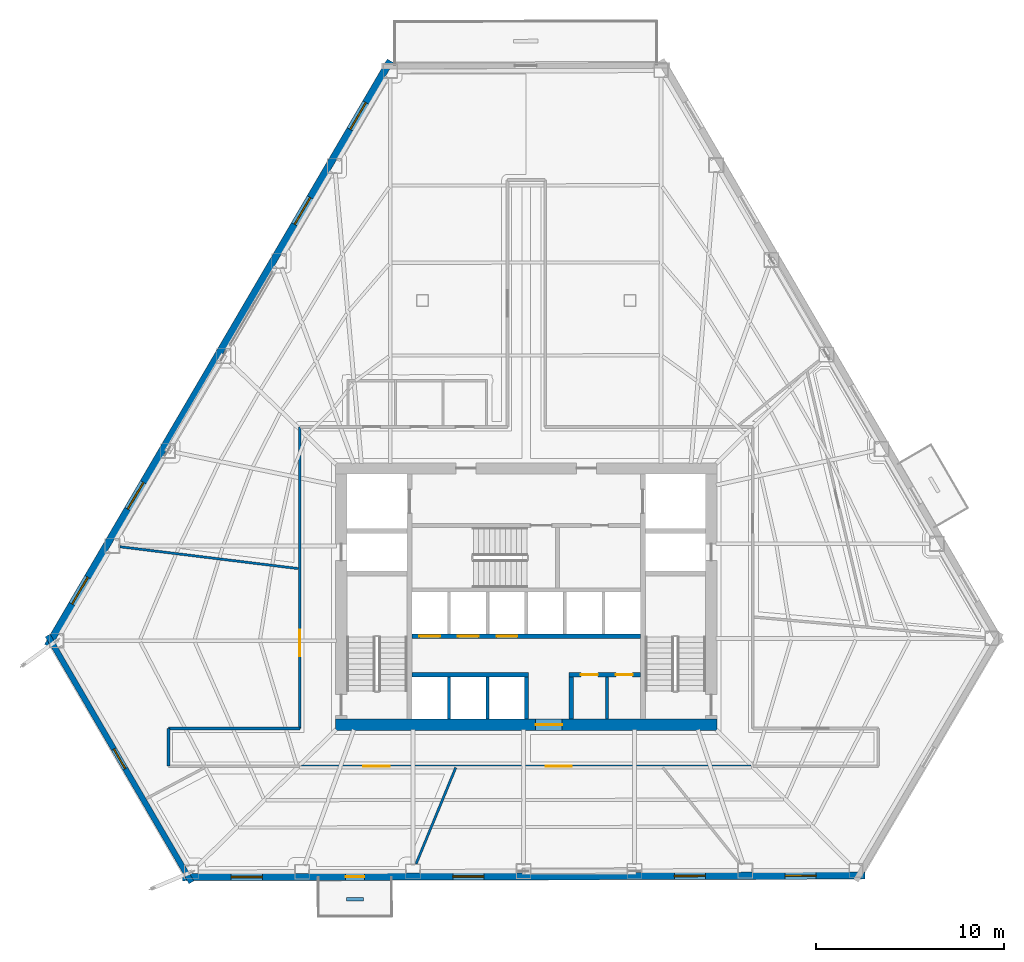
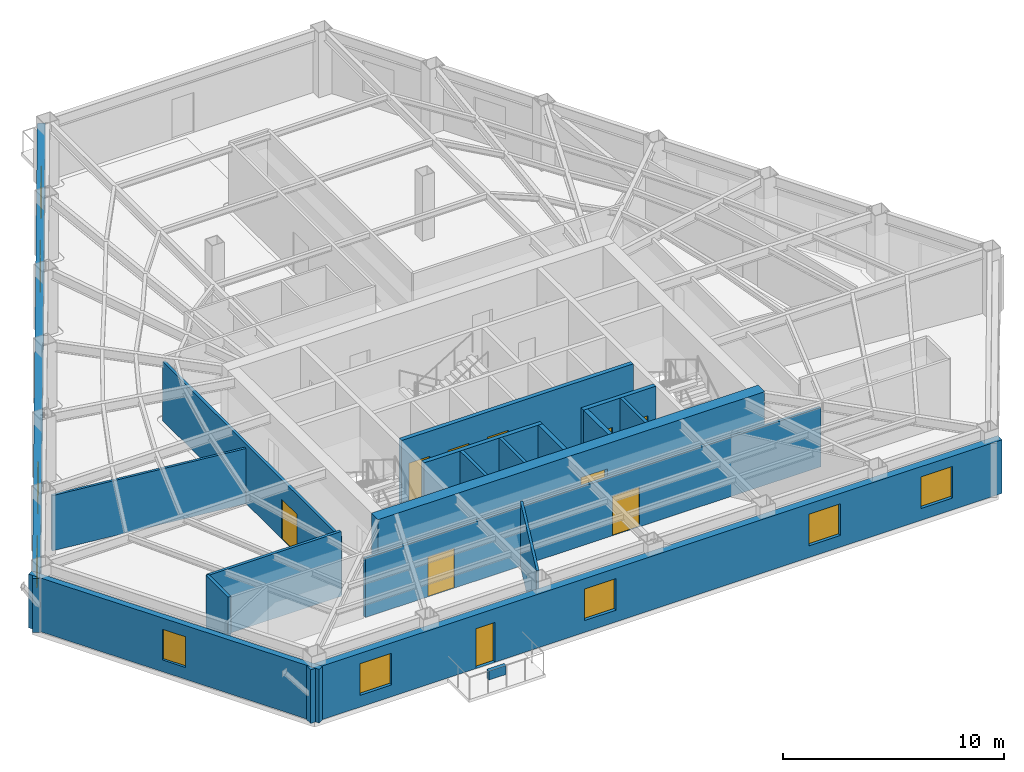
# One storey, part 9 of 15: 19 walls, 10 doors, 9 windows, 19 openings.
"""IFC4 building model written with IfcOpenShell, lengths in metres."""

from ifc_helpers import new_model, si_unit, direction, frame, frame_2d, origin, place, context, subcontext, project, spatial, rectangle, extrude, material, layer, layer_set, type_object, element, fill, save


model = new_model("IFC4")

# Units and contexts
model_context = context("Model", 3, precision=1e-05, world=origin(), true_north=direction((0.0, 1.0)))
body_context = subcontext(model_context, "Body", "Model", "MODEL_VIEW")
ifc_project = project(units=[si_unit("LENGTHUNIT", "METRE"), si_unit("AREAUNIT", "SQUARE_METRE"), si_unit("VOLUMEUNIT", "CUBIC_METRE"), si_unit("PLANEANGLEUNIT", "RADIAN"), si_unit("MASSUNIT", "GRAM", prefix="KILO")], contexts=[model_context])

# Site, building, storey
site_placement = place(None, origin())
site = spatial("IfcSite", under=ifc_project, at=site_placement, CompositionType="ELEMENT")
building_placement = place(site_placement, origin())
building = spatial("IfcBuilding", under=site, at=building_placement, Name="Kavelnor Concourse Tower", CompositionType="ELEMENT")
storey_placement = place(building_placement, frame((0.0, 0.0, 63.75)))
storey = spatial("IfcBuildingStorey", under=building, at=storey_placement, Name="L16", CompositionType="ELEMENT", Elevation=63.75)

# Wall, opening, door
ifc_material_1 = material(Name="Concrete C60/75", Category="concrete")
ifc_layer_1 = layer(ifc_material_1, 0.60009765625, Name="Concrete C60/75")
ifc_layer_set_1 = layer_set([ifc_layer_1], Name="Concrete C60/75")
wall_type_1 = type_object("IfcWallType", Name="WL-CORE-Z1-600", PredefinedType="SOLIDWALL", material=ifc_layer_set_1)
wall_1_placement = place(storey_placement, frame((27.8798828125, 9.300048828125, 0.0), z_axis=(0.0, 0.0, 1.0), x_axis=(1.0, 0.0, 0.0)))
wall_1 = element("IfcWall", 1, at=wall_1_placement, inside=storey, type_object=wall_type_1, Name="L16 Central Core South Shear Wall", PredefinedType="SOLIDWALL", context=body_context, shape_type="SweptSolid", body=[
    extrude(rectangle(XDim=20.240234375, YDim=0.60009765625, at=frame_2d((10.1201171875, 0.0))), origin(), (0.0, 0.0, 1.0), 3.590087890625),
])
opening_1_placement = place(wall_1_placement, frame((10.6201171875, 0.0, 0.0)))
opening_1 = element("IfcOpeningElement", 2, at=opening_1_placement, cuts=wall_1, Name="Opening SD-140", PredefinedType="OPENING", context=body_context, shape_type="SweptSolid", body=[
    extrude(rectangle(XDim=1.39990234375, YDim=2.199951171875, at=frame_2d((0.699951171875, 1.10009765625))), frame((0.0, 0.31005859375, 0.0), z_axis=(0.0, -1.0, 0.0), x_axis=(1.0, 0.0, 0.0)), (0.0, 0.0, 1.0), 0.6201171875),
])
ifc_material_2 = material(Name="Solid-core hardwood timber", Category="wood")
door_type_1 = type_object("IfcDoorType", Name="DR-SUITE-ENTRY-1400", OperationType="NOTDEFINED", PredefinedType="DOOR", material=ifc_material_2)
door_1_placement = place(opening_1_placement, origin())
door_1 = element("IfcDoor", 3, at=door_1_placement, inside=storey, type_object=door_type_1, Name="L16 Passenger Lift Lobby Entry Door", OperationType="SINGLE_SWING_LEFT", OverallHeight=2.199951171875, OverallWidth=1.39990234375, PredefinedType="DOOR", context=body_context, shape_type="SweptSolid", body=[
    extrude(rectangle(XDim=1.39990234375, YDim=2.199951171875, at=frame_2d((0.699951171875, 1.10009765625))), frame((0.0, 0.02490234375, 0.0), z_axis=(0.0, -1.0, 0.0), x_axis=(1.0, 0.0, 0.0)), (0.0, 0.0, 1.0), 0.050048828125),
])
fill(opening_1, door_1)

# Wall, opening, window
ifc_material_3 = material(Name="Buff ironspot clay face brick masonry", Category="masonry")
ifc_layer_2 = layer(ifc_material_3, 0.300048828125, Name="Buff ironspot clay face brick masonry")
ifc_layer_set_2 = layer_set([ifc_layer_2], Name="Buff ironspot clay face brick masonry")
wall_type_2 = type_object("IfcWallType", Name="WL-EXT-BUFF-BRICK-FOLD-300", PredefinedType="STANDARD", material=ifc_layer_set_2)
wall_2_placement = place(storey_placement, frame((20.234130859375, 0.930908203125, 0.0), z_axis=(0.0, 0.0, 1.0), x_axis=(-0.50334944483, 0.864082945318, 0.0)))
wall_2 = element("IfcWall", 4, at=wall_2_placement, inside=storey, type_object=wall_type_2, Name="L16 Exterior Brick Facade Wall E2", PredefinedType="STANDARD", context=body_context, shape_type="SweptSolid", body=[
    extrude(rectangle(XDim=15.16552734375, YDim=0.300048828125, at=frame_2d((7.582763671875, 0.0))), origin(), (0.0, 0.0, 1.0), 2.969970703125),
])
opening_2_placement = place(wall_2_placement, frame((6.982666015625, 0.0, 0.64990234375)))
opening_2 = element("IfcOpeningElement", 5, at=opening_2_placement, cuts=wall_2, Name="Opening W-05", PredefinedType="OPENING", context=body_context, shape_type="SweptSolid", body=[
    extrude(rectangle(XDim=1.199951171875, YDim=1.699951171875, at=frame_2d((0.60009765625, 0.85009765625))), frame((0.0, 0.16015625, 0.0), z_axis=(0.0, -1.0, 0.0), x_axis=(1.0, 0.0, 0.0)), (0.0, 0.0, 1.0), 0.320068359375),
])
ifc_material_4 = material(Name="Double low-E argon insulated glazing", Category="glass")
window_type_1 = type_object("IfcWindowType", Name="WIN-FOLD-1200", PartitioningType="SINGLE_PANEL", PredefinedType="WINDOW", material=ifc_material_4)
window_1_placement = place(opening_2_placement, origin())
window_1 = element("IfcWindow", 6, at=window_1_placement, inside=storey, type_object=window_type_1, Name="L16 Chamfer-Fold Facet Window C1", OverallHeight=1.699951171875, OverallWidth=1.199951171875, PartitioningType="SINGLE_PANEL", PredefinedType="WINDOW", context=body_context, shape_type="SweptSolid", body=[
    extrude(rectangle(XDim=1.199951171875, YDim=1.699951171875, at=frame_2d((0.60009765625, 0.85009765625))), frame((0.0, 0.030029296875, 0.0), z_axis=(0.0, -1.0, 0.0), x_axis=(1.0, 0.0, 0.0)), (0.0, 0.0, 1.0), 0.06005859375),
])
fill(opening_2, window_1)

# Wall, openings, windows
ifc_material_5 = material(Name="Red-ochre clay face brick masonry", Category="masonry")
ifc_layer_3 = layer(ifc_material_5, 0.3798828125, Name="Red-ochre clay face brick masonry")
ifc_layer_set_3 = layer_set([ifc_layer_3], Name="Red-ochre clay face brick masonry")
wall_type_3 = type_object("IfcWallType", Name="WL-EXT-RED-BRICK-PIER-380", PredefinedType="STANDARD", material=ifc_layer_set_3)
wall_3_placement = place(storey_placement, frame((12.60009765625, 13.477783203125, 0.0), z_axis=(0.0, 0.0, 1.0), x_axis=(0.505426781382, 0.862869496889, 0.0)))
wall_3 = element("IfcWall", 7, at=wall_3_placement, inside=storey, type_object=wall_type_3, Name="L16 Exterior Brick Facade Wall E1", PredefinedType="STANDARD", context=body_context, shape_type="SweptSolid", body=[
    extrude(rectangle(XDim=35.98486328125, YDim=0.3798828125, at=frame_2d((17.992431640625, 0.0))), origin(), (0.0, 0.0, 1.0), 2.969970703125),
])
opening_3_placement = place(wall_3_placement, frame((31.766357421875, 0.0, 0.64990234375)))
opening_3 = element("IfcOpeningElement", 8, at=opening_3_placement, cuts=wall_3, Name="Opening W-01", PredefinedType="OPENING", context=body_context, shape_type="SweptSolid", body=[
    extrude(rectangle(XDim=1.64990234375, YDim=1.75, at=frame_2d((0.824951171875, 0.875))), frame((0.0, 0.199951171875, 0.0), z_axis=(0.0, -1.0, 0.0), x_axis=(1.0, 0.0, 0.0)), (0.0, 0.0, 1.0), 0.39990234375),
])
opening_4_placement = place(wall_3_placement, frame((25.927978515625, 0.0, 0.64990234375)))
opening_4 = element("IfcOpeningElement", 9, at=opening_4_placement, cuts=wall_3, Name="Opening W-01", PredefinedType="OPENING", context=body_context, shape_type="SweptSolid", body=[
    extrude(rectangle(XDim=1.64990234375, YDim=1.75, at=frame_2d((0.824951171875, 0.875))), frame((0.0, 0.199951171875, 0.0), z_axis=(0.0, -1.0, 0.0), x_axis=(1.0, 0.0, 0.0)), (0.0, 0.0, 1.0), 0.39990234375),
])
opening_5_placement = place(wall_3_placement, frame((8.412841796875, 0.0, 0.64990234375)))
opening_5 = element("IfcOpeningElement", 10, at=opening_5_placement, cuts=wall_3, Name="Opening W-01", PredefinedType="OPENING", context=body_context, shape_type="SweptSolid", body=[
    extrude(rectangle(XDim=1.64990234375, YDim=1.75, at=frame_2d((0.824951171875, 0.875))), frame((0.0, 0.199951171875, 0.0), z_axis=(0.0, -1.0, 0.0), x_axis=(1.0, 0.0, 0.0)), (0.0, 0.0, 1.0), 0.39990234375),
])
opening_6_placement = place(wall_3_placement, frame((2.574462890625, 0.0, 0.64990234375)))
opening_6 = element("IfcOpeningElement", 11, at=opening_6_placement, cuts=wall_3, Name="Opening W-01", PredefinedType="OPENING", context=body_context, shape_type="SweptSolid", body=[
    extrude(rectangle(XDim=1.64990234375, YDim=1.75, at=frame_2d((0.824951171875, 0.875))), frame((0.0, 0.199951171875, 0.0), z_axis=(0.0, -1.0, 0.0), x_axis=(1.0, 0.0, 0.0)), (0.0, 0.0, 1.0), 0.39990234375),
])
window_type_2 = type_object("IfcWindowType", Name="WIN-PIER-Z1-1800", PartitioningType="SINGLE_PANEL", PredefinedType="WINDOW", material=ifc_material_4)
window_2_placement = place(opening_3_placement, origin())
window_2 = element("IfcWindow", 12, at=window_2_placement, inside=storey, type_object=window_type_2, Name="L16 Deep-Set Brick Pier Window F0-B0", OverallHeight=1.75, OverallWidth=1.64990234375, PartitioningType="SINGLE_PANEL", PredefinedType="WINDOW", context=body_context, shape_type="SweptSolid", body=[
    extrude(rectangle(XDim=1.64990234375, YDim=1.75, at=frame_2d((0.824951171875, 0.875))), frame((0.0, 0.030029296875, 0.0), z_axis=(0.0, -1.0, 0.0), x_axis=(1.0, 0.0, 0.0)), (0.0, 0.0, 1.0), 0.06005859375),
])
fill(opening_3, window_2)
window_3_placement = place(opening_4_placement, origin())
window_3 = element("IfcWindow", 13, at=window_3_placement, inside=storey, type_object=window_type_2, Name="L16 Deep-Set Brick Pier Window F0-B1", OverallHeight=1.75, OverallWidth=1.64990234375, PartitioningType="SINGLE_PANEL", PredefinedType="WINDOW", context=body_context, shape_type="SweptSolid", body=[
    extrude(rectangle(XDim=1.64990234375, YDim=1.75, at=frame_2d((0.824951171875, 0.875))), frame((0.0, 0.030029296875, 0.0), z_axis=(0.0, -1.0, 0.0), x_axis=(1.0, 0.0, 0.0)), (0.0, 0.0, 1.0), 0.06005859375),
])
fill(opening_4, window_3)
window_4_placement = place(opening_5_placement, origin())
window_4 = element("IfcWindow", 14, at=window_4_placement, inside=storey, type_object=window_type_2, Name="L16 Deep-Set Brick Pier Window F0-B4", OverallHeight=1.75, OverallWidth=1.64990234375, PartitioningType="SINGLE_PANEL", PredefinedType="WINDOW", context=body_context, shape_type="SweptSolid", body=[
    extrude(rectangle(XDim=1.64990234375, YDim=1.75, at=frame_2d((0.824951171875, 0.875))), frame((0.0, 0.030029296875, 0.0), z_axis=(0.0, -1.0, 0.0), x_axis=(1.0, 0.0, 0.0)), (0.0, 0.0, 1.0), 0.06005859375),
])
fill(opening_5, window_4)
window_5_placement = place(opening_6_placement, origin())
window_5 = element("IfcWindow", 15, at=window_5_placement, inside=storey, type_object=window_type_2, Name="L16 Deep-Set Brick Pier Window F0-B5", OverallHeight=1.75, OverallWidth=1.64990234375, PartitioningType="SINGLE_PANEL", PredefinedType="WINDOW", context=body_context, shape_type="SweptSolid", body=[
    extrude(rectangle(XDim=1.64990234375, YDim=1.75, at=frame_2d((0.824951171875, 0.875))), frame((0.0, 0.030029296875, 0.0), z_axis=(0.0, -1.0, 0.0), x_axis=(1.0, 0.0, 0.0)), (0.0, 0.0, 1.0), 0.06005859375),
])
fill(opening_6, window_5)

# Wall, openings, door, windows
wall_4_placement = place(storey_placement, frame((55.973388671875, 1.294921875, 0.0), z_axis=(0.0, 0.0, 1.0), x_axis=(-0.999997088805, -0.002412960993, 0.0)))
wall_4 = element("IfcWall", 16, at=wall_4_placement, inside=storey, type_object=wall_type_3, Name="L16 Exterior Brick Facade Wall E3", PredefinedType="STANDARD", context=body_context, shape_type="SweptSolid", body=[
    extrude(rectangle(XDim=36.221923828125, YDim=0.3798828125, at=frame_2d((18.11083984375, 0.0))), origin(), (0.0, 0.0, 1.0), 2.969970703125),
])
opening_7_placement = place(wall_4_placement, frame((26.566650390625, 0.0, 0.0)))
opening_7 = element("IfcOpeningElement", 17, at=opening_7_placement, cuts=wall_4, Name="Opening BD-100", PredefinedType="OPENING", context=body_context, shape_type="SweptSolid", body=[
    extrude(rectangle(XDim=1.0, YDim=2.199951171875, at=frame_2d((0.5, 1.10009765625))), frame((0.0, 0.199951171875, 0.0), z_axis=(0.0, -1.0, 0.0), x_axis=(1.0, 0.0, 0.0)), (0.0, 0.0, 1.0), 0.39990234375),
])
opening_8_placement = place(wall_4_placement, frame((31.981201171875, 0.0, 0.64990234375)))
opening_8 = element("IfcOpeningElement", 18, at=opening_8_placement, cuts=wall_4, Name="Opening W-01", PredefinedType="OPENING", context=body_context, shape_type="SweptSolid", body=[
    extrude(rectangle(XDim=1.64990234375, YDim=1.75, at=frame_2d((0.824951171875, 0.875))), frame((0.0, 0.199951171875, 0.0), z_axis=(0.0, -1.0, 0.0), x_axis=(1.0, 0.0, 0.0)), (0.0, 0.0, 1.0), 0.39990234375),
])
opening_9_placement = place(wall_4_placement, frame((20.22412109375, 0.0, 0.64990234375)))
opening_9 = element("IfcOpeningElement", 19, at=opening_9_placement, cuts=wall_4, Name="Opening W-01", PredefinedType="OPENING", context=body_context, shape_type="SweptSolid", body=[
    extrude(rectangle(XDim=1.64990234375, YDim=1.75, at=frame_2d((0.824951171875, 0.875))), frame((0.0, 0.199951171875, 0.0), z_axis=(0.0, -1.0, 0.0), x_axis=(1.0, 0.0, 0.0)), (0.0, 0.0, 1.0), 0.39990234375),
])
opening_10_placement = place(wall_4_placement, frame((8.467041015625, 0.0, 0.64990234375)))
opening_10 = element("IfcOpeningElement", 20, at=opening_10_placement, cuts=wall_4, Name="Opening W-01", PredefinedType="OPENING", context=body_context, shape_type="SweptSolid", body=[
    extrude(rectangle(XDim=1.64990234375, YDim=1.75, at=frame_2d((0.824951171875, 0.875))), frame((0.0, 0.199951171875, 0.0), z_axis=(0.0, -1.0, 0.0), x_axis=(1.0, 0.0, 0.0)), (0.0, 0.0, 1.0), 0.39990234375),
])
opening_11_placement = place(wall_4_placement, frame((2.588623046875, 0.0, 0.64990234375)))
opening_11 = element("IfcOpeningElement", 21, at=opening_11_placement, cuts=wall_4, Name="Opening W-01", PredefinedType="OPENING", context=body_context, shape_type="SweptSolid", body=[
    extrude(rectangle(XDim=1.64990234375, YDim=1.75, at=frame_2d((0.824951171875, 0.875))), frame((0.0, 0.199951171875, 0.0), z_axis=(0.0, -1.0, 0.0), x_axis=(1.0, 0.0, 0.0)), (0.0, 0.0, 1.0), 0.39990234375),
])
ifc_material_6 = material(Name="Anodised aluminium 6063-T6", Category="aluminium")
door_type_2 = type_object("IfcDoorType", Name="DR-BALCONY-EXT-1000", OperationType="NOTDEFINED", PredefinedType="DOOR", material=ifc_material_6)
door_2_placement = place(opening_7_placement, origin())
door_2 = element("IfcDoor", 22, at=door_2_placement, inside=storey, type_object=door_type_2, Name="L16 Tree Balcony 1 Glazed Door", OperationType="SINGLE_SWING_LEFT", OverallHeight=2.199951171875, OverallWidth=1.0, PredefinedType="DOOR", context=body_context, shape_type="SweptSolid", body=[
    extrude(rectangle(XDim=1.0, YDim=2.199951171875, at=frame_2d((0.5, 1.10009765625))), frame((0.0, 0.02490234375, 0.0), z_axis=(0.0, -1.0, 0.0), x_axis=(1.0, 0.0, 0.0)), (0.0, 0.0, 1.0), 0.050048828125),
])
fill(opening_7, door_2)
window_6_placement = place(opening_8_placement, origin())
window_6 = element("IfcWindow", 23, at=window_6_placement, inside=storey, type_object=window_type_2, Name="L16 Deep-Set Brick Pier Window F1-B0", OverallHeight=1.75, OverallWidth=1.64990234375, PartitioningType="SINGLE_PANEL", PredefinedType="WINDOW", context=body_context, shape_type="SweptSolid", body=[
    extrude(rectangle(XDim=1.64990234375, YDim=1.75, at=frame_2d((0.824951171875, 0.875))), frame((0.0, 0.030029296875, 0.0), z_axis=(0.0, -1.0, 0.0), x_axis=(1.0, 0.0, 0.0)), (0.0, 0.0, 1.0), 0.06005859375),
])
fill(opening_8, window_6)
window_7_placement = place(opening_9_placement, origin())
window_7 = element("IfcWindow", 24, at=window_7_placement, inside=storey, type_object=window_type_2, Name="L16 Deep-Set Brick Pier Window F1-B2", OverallHeight=1.75, OverallWidth=1.64990234375, PartitioningType="SINGLE_PANEL", PredefinedType="WINDOW", context=body_context, shape_type="SweptSolid", body=[
    extrude(rectangle(XDim=1.64990234375, YDim=1.75, at=frame_2d((0.824951171875, 0.875))), frame((0.0, 0.030029296875, 0.0), z_axis=(0.0, -1.0, 0.0), x_axis=(1.0, 0.0, 0.0)), (0.0, 0.0, 1.0), 0.06005859375),
])
fill(opening_9, window_7)
window_8_placement = place(opening_10_placement, origin())
window_8 = element("IfcWindow", 25, at=window_8_placement, inside=storey, type_object=window_type_2, Name="L16 Deep-Set Brick Pier Window F1-B4", OverallHeight=1.75, OverallWidth=1.64990234375, PartitioningType="SINGLE_PANEL", PredefinedType="WINDOW", context=body_context, shape_type="SweptSolid", body=[
    extrude(rectangle(XDim=1.64990234375, YDim=1.75, at=frame_2d((0.824951171875, 0.875))), frame((0.0, 0.030029296875, 0.0), z_axis=(0.0, -1.0, 0.0), x_axis=(1.0, 0.0, 0.0)), (0.0, 0.0, 1.0), 0.06005859375),
])
fill(opening_10, window_8)
window_9_placement = place(opening_11_placement, origin())
window_9 = element("IfcWindow", 26, at=window_9_placement, inside=storey, type_object=window_type_2, Name="L16 Deep-Set Brick Pier Window F1-B5", OverallHeight=1.75, OverallWidth=1.64990234375, PartitioningType="SINGLE_PANEL", PredefinedType="WINDOW", context=body_context, shape_type="SweptSolid", body=[
    extrude(rectangle(XDim=1.64990234375, YDim=1.75, at=frame_2d((0.824951171875, 0.875))), frame((0.0, 0.030029296875, 0.0), z_axis=(0.0, -1.0, 0.0), x_axis=(1.0, 0.0, 0.0)), (0.0, 0.0, 1.0), 0.06005859375),
])
fill(opening_11, window_9)

# Wall
ifc_material_7 = material(Name="Gypsum plasterboard on light-gauge steel studs", Category="steel")
ifc_layer_4 = layer(ifc_material_7, 0.14501953125, Name="Gypsum plasterboard on light-gauge steel studs")
ifc_layer_set_4 = layer_set([ifc_layer_4], Name="Gypsum plasterboard on light-gauge steel studs")
wall_type_4 = type_object("IfcWallType", Name="WL-INT-CORR-145", PredefinedType="PARTITIONING", material=ifc_layer_set_4)
wall_5_placement = place(storey_placement, frame((19.016845703125, 9.10009765625, 0.0), z_axis=(0.0, 0.0, 1.0), x_axis=(1.0, 0.0, 0.0)))
element("IfcWall", 27, at=wall_5_placement, inside=storey, type_object=wall_type_4, Name="L16 Corridor Wall WL-L16-CR-01", PredefinedType="PARTITIONING", context=body_context, shape_type="SweptSolid", body=[
    extrude(rectangle(XDim=6.963134765625, YDim=0.14501953125, at=frame_2d((3.4814453125, 0.0))), origin(), (0.0, 0.0, 1.0), 3.590087890625),
])

# Wall, opening, door
wall_6_placement = place(storey_placement, frame((25.97998046875, 9.10009765625, 0.0), z_axis=(0.0, 0.0, 1.0), x_axis=(0.0, 1.0, 0.0)))
wall_6 = element("IfcWall", 28, at=wall_6_placement, inside=storey, type_object=wall_type_4, Name="L16 Corridor Wall WL-L16-CR-02", PredefinedType="PARTITIONING", context=body_context, shape_type="SweptSolid", body=[
    extrude(rectangle(XDim=16.0, YDim=0.14501953125, at=frame_2d((8.0, 0.0))), origin(), (0.0, 0.0, 1.0), 3.278076171875),
])
opening_12_placement = place(wall_6_placement, frame((3.826904296875, 0.0, 0.0)))
opening_12 = element("IfcOpeningElement", 29, at=opening_12_placement, cuts=wall_6, Name="Opening SD-140", PredefinedType="OPENING", context=body_context, shape_type="SweptSolid", body=[
    extrude(rectangle(XDim=1.39990234375, YDim=2.199951171875, at=frame_2d((0.699951171875, 1.10009765625))), frame((0.0, 0.08251953125, 0.0), z_axis=(0.0, -1.0, 0.0), x_axis=(1.0, 0.0, 0.0)), (0.0, 0.0, 1.0), 0.1650390625),
])
door_3_placement = place(opening_12_placement, origin())
door_3 = element("IfcDoor", 30, at=door_3_placement, inside=storey, type_object=door_type_1, Name="L16 Tenant Bookstore Retail Shop 04 Door", OperationType="SINGLE_SWING_LEFT", OverallHeight=2.199951171875, OverallWidth=1.39990234375, PredefinedType="DOOR", context=body_context, shape_type="SweptSolid", body=[
    extrude(rectangle(XDim=1.39990234375, YDim=2.199951171875, at=frame_2d((0.699951171875, 1.10009765625))), frame((0.0, 0.02490234375, 0.0), z_axis=(0.0, -1.0, 0.0), x_axis=(1.0, 0.0, 0.0)), (0.0, 0.0, 1.0), 0.050048828125),
])
fill(opening_12, door_3)

# Wall, openings, doors
wall_7_placement = place(storey_placement, frame((49.919921875, 7.10009765625, 0.0), z_axis=(0.0, 0.0, 1.0), x_axis=(-1.0, 0.0, 0.0)))
wall_7 = element("IfcWall", 31, at=wall_7_placement, inside=storey, type_object=wall_type_4, Name="L16 Corridor Wall WL-L16-CR-12", PredefinedType="PARTITIONING", context=body_context, shape_type="SweptSolid", body=[
    extrude(rectangle(XDim=23.83984375, YDim=0.14501953125, at=frame_2d((11.919921875, 0.0))), origin(), (0.0, 0.0, 1.0), 3.278076171875),
])
opening_13_placement = place(wall_7_placement, frame((19.166259765625, 0.0, 0.0)))
opening_13 = element("IfcOpeningElement", 32, at=opening_13_placement, cuts=wall_7, Name="Opening SD-140", PredefinedType="OPENING", context=body_context, shape_type="SweptSolid", body=[
    extrude(rectangle(XDim=1.39990234375, YDim=2.199951171875, at=frame_2d((0.699951171875, 1.10009765625))), frame((0.0, 0.08251953125, 0.0), z_axis=(0.0, -1.0, 0.0), x_axis=(1.0, 0.0, 0.0)), (0.0, 0.0, 1.0), 0.1650390625),
])
opening_14_placement = place(wall_7_placement, frame((9.498779296875, 0.0, 0.0)))
opening_14 = element("IfcOpeningElement", 33, at=opening_14_placement, cuts=wall_7, Name="Opening SD-140", PredefinedType="OPENING", context=body_context, shape_type="SweptSolid", body=[
    extrude(rectangle(XDim=1.39990234375, YDim=2.199951171875, at=frame_2d((0.699951171875, 1.10009765625))), frame((0.0, 0.08251953125, 0.0), z_axis=(0.0, -1.0, 0.0), x_axis=(1.0, 0.0, 0.0)), (0.0, 0.0, 1.0), 0.1650390625),
])
door_4_placement = place(opening_13_placement, origin())
door_4 = element("IfcDoor", 34, at=door_4_placement, inside=storey, type_object=door_type_1, Name="L16 Tenant Bookstore Retail Shop 05 Door", OperationType="SINGLE_SWING_RIGHT", OverallHeight=2.199951171875, OverallWidth=1.39990234375, PredefinedType="DOOR", context=body_context, shape_type="SweptSolid", body=[
    extrude(rectangle(XDim=1.39990234375, YDim=2.199951171875, at=frame_2d((0.699951171875, 1.10009765625))), frame((0.0, 0.02490234375, 0.0), z_axis=(0.0, -1.0, 0.0), x_axis=(1.0, 0.0, 0.0)), (0.0, 0.0, 1.0), 0.050048828125),
])
fill(opening_13, door_4)
door_5_placement = place(opening_14_placement, origin())
door_5 = element("IfcDoor", 35, at=door_5_placement, inside=storey, type_object=door_type_1, Name="L16 Tenant Bookstore Retail Shop 06 Door", OperationType="SINGLE_SWING_LEFT", OverallHeight=2.199951171875, OverallWidth=1.39990234375, PredefinedType="DOOR", context=body_context, shape_type="SweptSolid", body=[
    extrude(rectangle(XDim=1.39990234375, YDim=2.199951171875, at=frame_2d((0.699951171875, 1.10009765625))), frame((0.0, 0.02490234375, 0.0), z_axis=(0.0, -1.0, 0.0), x_axis=(1.0, 0.0, 0.0)), (0.0, 0.0, 1.0), 0.050048828125),
])
fill(opening_14, door_5)

# Walls
wall_8_placement = place(storey_placement, frame((19.016845703125, 7.10009765625, 0.0), z_axis=(0.0, 0.0, 1.0), x_axis=(0.0, 1.0, 0.0)))
element("IfcWall", 36, at=wall_8_placement, inside=storey, type_object=wall_type_4, Name="L16 Corridor Wall WL-L16-CR-14", PredefinedType="PARTITIONING", context=body_context, shape_type="SweptSolid", body=[
    extrude(rectangle(XDim=2.0, YDim=0.14501953125, at=frame_2d((1.0, 0.0))), origin(), (0.0, 0.0, 1.0), 3.590087890625),
])
ifc_layer_5 = layer(ifc_material_7, 0.1650390625, Name="Gypsum plasterboard on light-gauge steel studs")
ifc_layer_set_5 = layer_set([ifc_layer_5], Name="Gypsum plasterboard on light-gauge steel studs")
wall_type_5 = type_object("IfcWallType", Name="WL-INT-FIRE-165", PredefinedType="PARTITIONING", material=ifc_layer_set_5)
for number, where, z_axis, x_axis, name in (
    (37, (33.89990234375, 9.60009765625, 0.0), (0.0, 0.0, 1.0), (0.0, 1.0, 0.0), "L16 Lift Shaft Divider LP7"),
    (38, (35.949951171875, 9.60009765625, 0.0), (0.0, 0.0, 1.0), (0.0, 1.0, 0.0), "L16 Lift Shaft Divider LP8"),
    (39, (42.280029296875, 9.60009765625, 0.0), (0.0, 0.0, 1.0), (0.0, 1.0, 0.0), "L16 Core Support Divider"),
):
    element("IfcWall", number, at=place(storey_placement, frame(where, z_axis=z_axis, x_axis=x_axis)), inside=storey, type_object=wall_type_5, Name=name, PredefinedType="PARTITIONING", context=body_context, shape_type="SweptSolid", body=[
        extrude(rectangle(XDim=2.239990234375, YDim=0.1650390625, at=frame_2d((1.1201171875, 0.0))), origin(), (0.0, 0.0, 1.0), 3.590087890625),
    ])
ifc_layer_6 = layer(ifc_material_7, 0.125, Name="Gypsum plasterboard on light-gauge steel studs")
ifc_layer_set_6 = layer_set([ifc_layer_6], Name="Gypsum plasterboard on light-gauge steel studs")
wall_type_6 = type_object("IfcWallType", Name="WL-INT-SUITE-125", PredefinedType="PARTITIONING", material=ifc_layer_set_6)
wall_9_placement = place(storey_placement, frame((25.8994140625, 17.583251953125, 0.0), z_axis=(0.0, 0.0, 1.0), x_axis=(-0.992567781241, 0.121693055027, 0.0)))
element("IfcWall", 40, at=wall_9_placement, inside=storey, type_object=wall_type_6, Name="L16 Radial Suite Partition 02", PredefinedType="PARTITIONING", context=body_context, shape_type="SweptSolid", body=[
    extrude(rectangle(XDim=9.535400390625, YDim=0.125, at=frame_2d((4.767578125, 0.0))), origin(), (0.0, 0.0, 1.0), 3.056884765625),
])
wall_10_placement = place(storey_placement, frame((34.2568359375, 7.01953125, 0.0), z_axis=(0.0, 0.0, 1.0), x_axis=(-0.38112118566, -0.924525089893, 0.0)))
element("IfcWall", 41, at=wall_10_placement, inside=storey, type_object=wall_type_6, Name="L16 Radial Suite Partition 04", PredefinedType="PARTITIONING", context=body_context, shape_type="SweptSolid", body=[
    extrude(rectangle(XDim=5.521240234375, YDim=0.125, at=frame_2d((2.7607421875, 0.0))), origin(), (0.0, 0.0, 1.0), 3.590087890625),
])
ifc_material_8 = material(Name="Architectural precast planter concrete C40/50", Category="concrete")
ifc_layer_7 = layer(ifc_material_8, 0.18994140625, Name="Architectural precast planter concrete C40/50")
ifc_layer_set_7 = layer_set([ifc_layer_7], Name="Architectural precast planter concrete C40/50")
wall_type_7 = type_object("IfcWallType", Name="WL-PLANTER-KERB-190", PredefinedType="USERDEFINED", material=ifc_layer_set_7)
wall_11_placement = place(storey_placement, frame((28.4599609375, 0.043701171875, 0.0), z_axis=(0.0, 0.0, 1.0), x_axis=(0.999997019134, 0.00244166391, 0.0)))
element("IfcWall", 42, at=wall_11_placement, inside=storey, type_object=wall_type_7, Name="L16 Tree Balcony 1 Tree Planter Kerb", ObjectType="PLANTER", PredefinedType="USERDEFINED", context=body_context, shape_type="SweptSolid", body=[
    extrude(rectangle(XDim=0.89990234375, YDim=0.18994140625, at=frame_2d((0.449951171875, 0.0))), origin(), (0.0, 0.0, 1.0), 0.5),
])

# Wall, openings, doors
ifc_material_9 = material(Name="Concrete C50/60", Category="concrete")
ifc_layer_8 = layer(ifc_material_9, 0.219970703125, Name="Concrete C50/60")
ifc_layer_set_8 = layer_set([ifc_layer_8], Name="Concrete C50/60")
wall_type_8 = type_object("IfcWallType", Name="WL-SHAFT-220", PredefinedType="SOLIDWALL", material=ifc_layer_set_8)
wall_12_placement = place(storey_placement, frame((31.93994140625, 13.989990234375, 0.0), z_axis=(0.0, 0.0, 1.0), x_axis=(1.0, 0.0, 0.0)))
wall_12 = element("IfcWall", 43, at=wall_12_placement, inside=storey, type_object=wall_type_8, Name="L16 North Lift Row Shaft Wall", PredefinedType="SOLIDWALL", context=body_context, shape_type="SweptSolid", body=[
    extrude(rectangle(XDim=12.1201171875, YDim=0.219970703125, at=frame_2d((6.06005859375, 0.0))), origin(), (0.0, 0.0, 1.0), 3.590087890625),
])
opening_15_placement = place(wall_12_placement, frame((0.385009765625, 0.0, 0.0)))
opening_15 = element("IfcOpeningElement", 44, at=opening_15_placement, cuts=wall_12, Name="Opening LD-110", PredefinedType="OPENING", context=body_context, shape_type="SweptSolid", body=[
    extrude(rectangle(XDim=1.10009765625, YDim=2.199951171875, at=frame_2d((0.550048828125, 1.10009765625))), frame((0.0, 0.1201171875, 0.0), z_axis=(0.0, -1.0, 0.0), x_axis=(1.0, 0.0, 0.0)), (0.0, 0.0, 1.0), 0.239990234375),
])
opening_16_placement = place(wall_12_placement, frame((2.43505859375, 0.0, 0.0)))
opening_16 = element("IfcOpeningElement", 45, at=opening_16_placement, cuts=wall_12, Name="Opening LD-110", PredefinedType="OPENING", context=body_context, shape_type="SweptSolid", body=[
    extrude(rectangle(XDim=1.10009765625, YDim=2.199951171875, at=frame_2d((0.550048828125, 1.10009765625))), frame((0.0, 0.1201171875, 0.0), z_axis=(0.0, -1.0, 0.0), x_axis=(1.0, 0.0, 0.0)), (0.0, 0.0, 1.0), 0.239990234375),
])
opening_17_placement = place(wall_12_placement, frame((4.485107421875, 0.0, 0.0)))
opening_17 = element("IfcOpeningElement", 46, at=opening_17_placement, cuts=wall_12, Name="Opening LD-110", PredefinedType="OPENING", context=body_context, shape_type="SweptSolid", body=[
    extrude(rectangle(XDim=1.10009765625, YDim=2.199951171875, at=frame_2d((0.550048828125, 1.10009765625))), frame((0.0, 0.1201171875, 0.0), z_axis=(0.0, -1.0, 0.0), x_axis=(1.0, 0.0, 0.0)), (0.0, 0.0, 1.0), 0.239990234375),
])
ifc_material_10 = material(Name="Steel Grade 350", Category="steel")
door_type_3 = type_object("IfcDoorType", Name="DR-LIFT-SLIDING-1100", OperationType="NOTDEFINED", PredefinedType="DOOR", material=ifc_material_10)
door_6_placement = place(opening_15_placement, origin())
door_6 = element("IfcDoor", 47, at=door_6_placement, inside=storey, type_object=door_type_3, Name="L16 Lift LP1 Landing Door", OperationType="DOUBLE_DOOR_SLIDING", OverallHeight=2.199951171875, OverallWidth=1.10009765625, PredefinedType="DOOR", context=body_context, shape_type="SweptSolid", body=[
    extrude(rectangle(XDim=1.10009765625, YDim=2.199951171875, at=frame_2d((0.550048828125, 1.10009765625))), frame((0.0, 0.02490234375, 0.0), z_axis=(0.0, -1.0, 0.0), x_axis=(1.0, 0.0, 0.0)), (0.0, 0.0, 1.0), 0.050048828125),
])
fill(opening_15, door_6)
door_7_placement = place(opening_16_placement, origin())
door_7 = element("IfcDoor", 48, at=door_7_placement, inside=storey, type_object=door_type_3, Name="L16 Lift LP2 Landing Door", OperationType="DOUBLE_DOOR_SLIDING", OverallHeight=2.199951171875, OverallWidth=1.10009765625, PredefinedType="DOOR", context=body_context, shape_type="SweptSolid", body=[
    extrude(rectangle(XDim=1.10009765625, YDim=2.199951171875, at=frame_2d((0.550048828125, 1.10009765625))), frame((0.0, 0.02490234375, 0.0), z_axis=(0.0, -1.0, 0.0), x_axis=(1.0, 0.0, 0.0)), (0.0, 0.0, 1.0), 0.050048828125),
])
fill(opening_16, door_7)
door_8_placement = place(opening_17_placement, origin())
door_8 = element("IfcDoor", 49, at=door_8_placement, inside=storey, type_object=door_type_3, Name="L16 Lift LP3 Landing Door", OperationType="DOUBLE_DOOR_SLIDING", OverallHeight=2.199951171875, OverallWidth=1.10009765625, PredefinedType="DOOR", context=body_context, shape_type="SweptSolid", body=[
    extrude(rectangle(XDim=1.10009765625, YDim=2.199951171875, at=frame_2d((0.550048828125, 1.10009765625))), frame((0.0, 0.02490234375, 0.0), z_axis=(0.0, -1.0, 0.0), x_axis=(1.0, 0.0, 0.0)), (0.0, 0.0, 1.0), 0.050048828125),
])
fill(opening_17, door_8)

# Wall
wall_13_placement = place(storey_placement, frame((31.93994140625, 11.949951171875, 0.0), z_axis=(0.0, 0.0, 1.0), x_axis=(1.0, 0.0, 0.0)))
element("IfcWall", 50, at=wall_13_placement, inside=storey, type_object=wall_type_8, Name="L16 High-Rise Lift Bank North Wall", PredefinedType="SOLIDWALL", context=body_context, shape_type="SweptSolid", body=[
    extrude(rectangle(XDim=6.18994140625, YDim=0.219970703125, at=frame_2d((3.094970703125, 0.0))), origin(), (0.0, 0.0, 1.0), 3.590087890625),
])

# Wall, openings, doors
wall_14_placement = place(storey_placement, frame((40.280029296875, 11.949951171875, 0.0), z_axis=(0.0, 0.0, 1.0), x_axis=(1.0, 0.0, 0.0)))
wall_14 = element("IfcWall", 51, at=wall_14_placement, inside=storey, type_object=wall_type_8, Name="L16 Core South Support North Wall", PredefinedType="SOLIDWALL", context=body_context, shape_type="SweptSolid", body=[
    extrude(rectangle(XDim=3.780029296875, YDim=0.219970703125, at=frame_2d((1.89013671875, 0.0))), origin(), (0.0, 0.0, 1.0), 3.590087890625),
])
opening_18_placement = place(wall_14_placement, frame((0.6201171875, 0.0, 0.0)))
opening_18 = element("IfcOpeningElement", 52, at=opening_18_placement, cuts=wall_14, Name="Opening FD-090", PredefinedType="OPENING", context=body_context, shape_type="SweptSolid", body=[
    extrude(rectangle(XDim=0.89990234375, YDim=2.10009765625, at=frame_2d((0.449951171875, 1.050048828125))), frame((0.0, 0.1201171875, 0.0), z_axis=(0.0, -1.0, 0.0), x_axis=(1.0, 0.0, 0.0)), (0.0, 0.0, 1.0), 0.239990234375),
])
opening_19_placement = place(wall_14_placement, frame((2.469970703125, 0.0, 0.0)))
opening_19 = element("IfcOpeningElement", 53, at=opening_19_placement, cuts=wall_14, Name="Opening FD-090", PredefinedType="OPENING", context=body_context, shape_type="SweptSolid", body=[
    extrude(rectangle(XDim=0.89990234375, YDim=2.10009765625, at=frame_2d((0.449951171875, 1.050048828125))), frame((0.0, 0.1201171875, 0.0), z_axis=(0.0, -1.0, 0.0), x_axis=(1.0, 0.0, 0.0)), (0.0, 0.0, 1.0), 0.239990234375),
])
door_type_4 = type_object("IfcDoorType", Name="DR-RISER-FIRE-900", OperationType="NOTDEFINED", PredefinedType="DOOR", material=ifc_material_10)
door_9_placement = place(opening_18_placement, origin())
door_9 = element("IfcDoor", 54, at=door_9_placement, inside=storey, type_object=door_type_4, Name="L16 Cleaner Cupboard Door", OperationType="SINGLE_SWING_RIGHT", OverallHeight=2.10009765625, OverallWidth=0.89990234375, PredefinedType="DOOR", context=body_context, shape_type="SweptSolid", body=[
    extrude(rectangle(XDim=0.89990234375, YDim=2.10009765625, at=frame_2d((0.449951171875, 1.050048828125))), frame((0.0, 0.02490234375, 0.0), z_axis=(0.0, -1.0, 0.0), x_axis=(1.0, 0.0, 0.0)), (0.0, 0.0, 1.0), 0.050048828125),
])
fill(opening_18, door_9)
door_10_placement = place(opening_19_placement, origin())
door_10 = element("IfcDoor", 55, at=door_10_placement, inside=storey, type_object=door_type_4, Name="L16 Supplies Store Door", OperationType="SINGLE_SWING_LEFT", OverallHeight=2.10009765625, OverallWidth=0.89990234375, PredefinedType="DOOR", context=body_context, shape_type="SweptSolid", body=[
    extrude(rectangle(XDim=0.89990234375, YDim=2.10009765625, at=frame_2d((0.449951171875, 1.050048828125))), frame((0.0, 0.02490234375, 0.0), z_axis=(0.0, -1.0, 0.0), x_axis=(1.0, 0.0, 0.0)), (0.0, 0.0, 1.0), 0.050048828125),
])
fill(opening_19, door_10)

# Walls
for number, where, z_axis, x_axis, name in (
    (56, (38.02001953125, 9.60009765625, 0.0), (0.0, 0.0, 1.0), (0.0, 1.0, 0.0), "L16 Lift Lobby Throat West Wall"),
    (57, (40.389892578125, 9.60009765625, 0.0), (0.0, 0.0, 1.0), (0.0, 1.0, 0.0), "L16 Lift Lobby Throat East Wall"),
):
    element("IfcWall", number, at=place(storey_placement, frame(where, z_axis=z_axis, x_axis=x_axis)), inside=storey, type_object=wall_type_8, Name=name, PredefinedType="SOLIDWALL", context=body_context, shape_type="SweptSolid", body=[
        extrude(rectangle(XDim=2.239990234375, YDim=0.219970703125, at=frame_2d((1.1201171875, 0.0))), origin(), (0.0, 0.0, 1.0), 3.590087890625),
    ])

save(model, "model.ifc")
